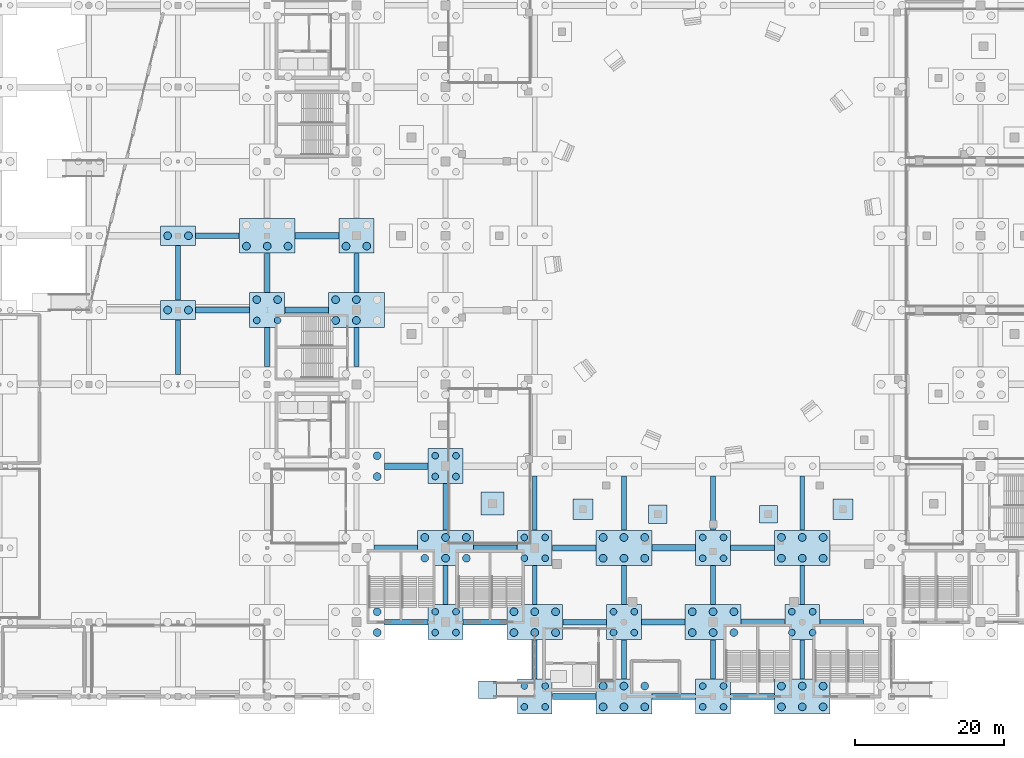
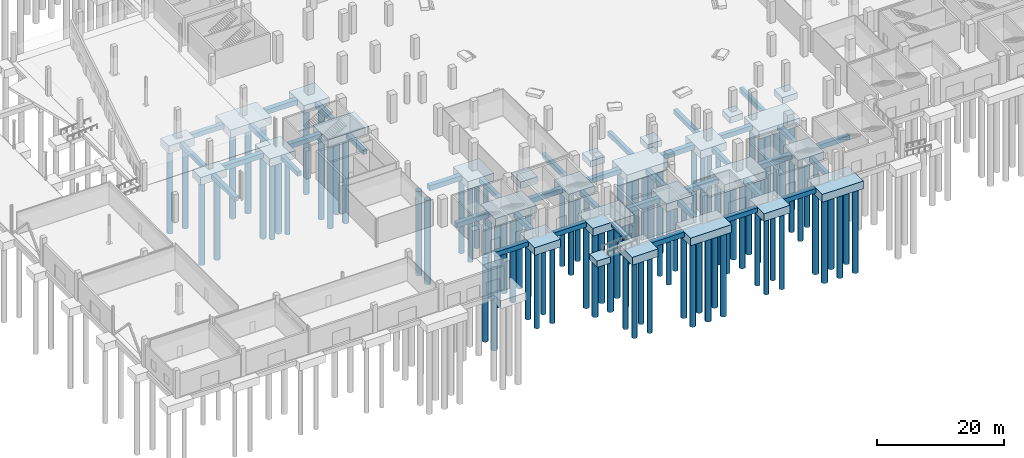
# One storey, part 2 of 70: 95 piles, 66 footings.
"""IFC4 building model written with IfcOpenShell, lengths in metres."""

from ifc_helpers import new_model, si_unit, direction, frame, origin, origin_2d, place, context, subcontext, project, spatial, rectangle, circle, extrude, material, layer, layer_set, material_profile, profile_set, type_object, element, save


model = new_model("IFC4")

# Units and contexts
model_context = context("Model", 3, precision=1e-05, world=origin(), true_north=direction((0.0, 1.0)))
body_context = subcontext(model_context, "Body", "Model", "MODEL_VIEW")
ifc_project = project(units=[si_unit("LENGTHUNIT", "METRE"), si_unit("AREAUNIT", "SQUARE_METRE"), si_unit("VOLUMEUNIT", "CUBIC_METRE"), si_unit("PLANEANGLEUNIT", "RADIAN"), si_unit("MASSUNIT", "GRAM", prefix="KILO")], contexts=[model_context])

# Site, building, storey
site_placement = place(None, origin())
site = spatial("IfcSite", under=ifc_project, at=site_placement, CompositionType="ELEMENT")
building_placement = place(site_placement, origin())
building = spatial("IfcBuilding", under=site, at=building_placement, Name="Brinegate Civic Arena", CompositionType="ELEMENT")
storey_placement = place(building_placement, origin())
storey = spatial("IfcBuildingStorey", under=building, at=storey_placement, Name="L00", CompositionType="ELEMENT", Elevation=0.0)

# Footings
ifc_material = material(Name="Concrete C40/50", Category="concrete")
ifc_layer_1 = layer(ifc_material, 1.5, Name="Concrete C40/50")
ifc_layer_set_1 = layer_set([ifc_layer_1], Name="Concrete C40/50")
footing_type_1 = type_object("IfcFootingType", Name="CAP-2PILE-3800", PredefinedType="PILE_CAP", material=ifc_layer_set_1)
for number, where, z_axis, x_axis, name in (
    (1, (36.0, 52.0, -1.800048828125), (0.0, 0.0, 1.0), (1.0, 0.0, 0.0), "Pile Cap CAP-040 (4-F)"),
    (2, (36.0, 62.0, -1.800048828125), (0.0, 0.0, 1.0), (1.0, 0.0, 0.0), "Pile Cap CAP-041 (4-G)"),
):
    element("IfcFooting", number, at=place(storey_placement, frame(where, z_axis=z_axis, x_axis=x_axis)), inside=storey, type_object=footing_type_1, Name=name, PredefinedType="PILE_CAP", context=body_context, shape_type="SweptSolid", body=[
        extrude(rectangle(XDim=4.699951171875, YDim=2.60009765625, at=origin_2d()), origin(), (0.0, 0.0, 1.0), 1.5),
    ])
ifc_layer_2 = layer(ifc_material, 1.5, Name="Concrete C40/50")
ifc_layer_set_2 = layer_set([ifc_layer_2], Name="Concrete C40/50")
footing_type_2 = type_object("IfcFootingType", Name="CAP-4PILE-3800", PredefinedType="PILE_CAP", material=ifc_layer_set_2)
for number, where, z_axis, x_axis, name in (
    (3, (48.0, 52.0, -1.800048828125), (0.0, 0.0, 1.0), (1.0, 0.0, 0.0), "Pile Cap CAP-052 (5-F)"),
    (4, (60.0, 62.0, -1.800048828125), (0.0, 0.0, 1.0), (1.0, 0.0, 0.0), "Pile Cap CAP-066 (6-G)"),
    (5, (72.0, 10.0, -1.800048828125), (0.0, 0.0, 1.0), (1.0, 0.0, 0.0), "Pile Cap CAP-073 (7-B)"),
    (6, (72.0, 31.0, -1.800048828125), (0.0, 0.0, 1.0), (1.0, 0.0, 0.0), "Pile Cap CAP-075 (7-D)"),
    (7, (84.0, 0.0, -1.800048828125), (0.0, 0.0, 1.0), (1.0, 0.0, 0.0), "Pile Cap CAP-084 (8-A)"),
    (8, (84.0, 20.0, -1.800048828125), (0.0, 0.0, 1.0), (1.0, 0.0, 0.0), "Pile Cap CAP-086 (8-C)"),
    (9, (96.0, 10.0, -1.800048828125), (0.0, 0.0, 1.0), (1.0, 0.0, 0.0), "Pile Cap CAP-098 (9-B)"),
    (10, (108.0, 0.0, -1.800048828125), (0.0, 0.0, 1.0), (1.0, 0.0, 0.0), "Pile Cap CAP-105 (10-A)"),
    (11, (108.0, 20.0, -1.800048828125), (0.0, 0.0, 1.0), (1.0, 0.0, 0.0), "Pile Cap CAP-107 (10-C)"),
    (12, (120.0, 10.0, -1.800048828125), (0.0, 0.0, 1.0), (1.0, 0.0, 0.0), "Pile Cap CAP-114 (11-B)"),
):
    element("IfcFooting", number, at=place(storey_placement, frame(where, z_axis=z_axis, x_axis=x_axis)), inside=storey, type_object=footing_type_2, Name=name, PredefinedType="PILE_CAP", context=body_context, shape_type="SweptSolid", body=[
        extrude(rectangle(XDim=4.699951171875, YDim=4.699951171875, at=origin_2d()), origin(), (0.0, 0.0, 1.0), 1.5),
    ])
ifc_layer_3 = layer(ifc_material, 1.5, Name="Concrete C40/50")
ifc_layer_set_3 = layer_set([ifc_layer_3], Name="Concrete C40/50")
footing_type_3 = type_object("IfcFootingType", Name="CAP-6PILE-5400", PredefinedType="PILE_CAP", material=ifc_layer_set_3)
for number, where, z_axis, x_axis, name in (
    (13, (48.0, 62.0, -1.800048828125), (0.0, 0.0, 1.0), (1.0, 0.0, 0.0), "Pile Cap CAP-053 (5-G)"),
    (14, (60.0, 52.0, -1.800048828125), (0.0, 0.0, 1.0), (1.0, 0.0, 0.0), "Pile Cap CAP-065 (6-F)"),
    (15, (72.0, 20.0, -1.800048828125), (0.0, 0.0, 1.0), (1.0, 0.0, 0.0), "Pile Cap CAP-074 (7-C)"),
    (16, (84.0, 10.0, -1.800048828125), (0.0, 0.0, 1.0), (1.0, 0.0, 0.0), "Pile Cap CAP-085 (8-B)"),
    (17, (96.0, 0.0, -1.800048828125), (0.0, 0.0, 1.0), (1.0, 0.0, 0.0), "Pile Cap CAP-097 (9-A)"),
    (18, (96.0, 20.0, -1.800048828125), (0.0, 0.0, 1.0), (1.0, 0.0, 0.0), "Pile Cap CAP-099 (9-C)"),
    (19, (108.0, 10.0, -1.800048828125), (0.0, 0.0, 1.0), (1.0, 0.0, 0.0), "Pile Cap CAP-106 (10-B)"),
    (20, (120.0, 0.0, -1.800048828125), (0.0, 0.0, 1.0), (1.0, 0.0, 0.0), "Pile Cap CAP-113 (11-A)"),
    (21, (120.0, 20.0, -1.800048828125), (0.0, 0.0, 1.0), (1.0, 0.0, 0.0), "Pile Cap CAP-115 (11-C)"),
):
    element("IfcFooting", number, at=place(storey_placement, frame(where, z_axis=z_axis, x_axis=x_axis)), inside=storey, type_object=footing_type_3, Name=name, PredefinedType="PILE_CAP", context=body_context, shape_type="SweptSolid", body=[
        extrude(rectangle(XDim=7.5, YDim=4.699951171875, at=origin_2d()), origin(), (0.0, 0.0, 1.0), 1.5),
    ])
ifc_layer_4 = layer(ifc_material, 1.199951171875, Name="Concrete C40/50")
ifc_layer_set_4 = layer_set([ifc_layer_4], Name="Concrete C40/50")
footing_type_4 = type_object("IfcFootingType", Name="PAD-FOOT-2400", PredefinedType="PAD_FOOTING", material=ifc_layer_set_4)
for number, where, z_axis, x_axis, name in (
    (22, (115.44091796875, 24.510009765625, -1.5), (0.0, 0.0, 1.0), (1.0, 0.0, 0.0), "Pad Footing PAD-009"),
    (23, (77.64990234375, 0.89990234375, -1.64892578125), (0.0, 0.0, 1.0), (1.0, 0.0, 0.0), "Ramp Toe Pad Footing PAD-035"),
):
    element("IfcFooting", number, at=place(storey_placement, frame(where, z_axis=z_axis, x_axis=x_axis)), inside=storey, type_object=footing_type_4, Name=name, PredefinedType="PAD_FOOTING", context=body_context, shape_type="SweptSolid", body=[
        extrude(rectangle(XDim=2.39990234375, YDim=2.39990234375, at=origin_2d()), origin(), (0.0, 0.0, 1.0), 1.199951171875),
    ])
ifc_layer_5 = layer(ifc_material, 1.14990234375, Name="Concrete C40/50")
ifc_layer_set_5 = layer_set([ifc_layer_5], Name="Concrete C40/50")
footing_type_5 = type_object("IfcFootingType", Name="PAD-FOOT-2500", PredefinedType="PAD_FOOTING", material=ifc_layer_set_5)
footing_1_placement = place(storey_placement, frame((100.55908203125, 24.510009765625, -1.449951171875), z_axis=(0.0, 0.0, 1.0), x_axis=(1.0, 0.0, 0.0)))
element("IfcFooting", 24, at=footing_1_placement, inside=storey, type_object=footing_type_5, Name="Pad Footing PAD-008", PredefinedType="PAD_FOOTING", context=body_context, shape_type="SweptSolid", body=[
    extrude(rectangle(XDim=2.5, YDim=2.5, at=origin_2d()), origin(), (0.0, 0.0, 1.0), 1.14990234375),
])
ifc_layer_6 = layer(ifc_material, 1.199951171875, Name="Concrete C40/50")
ifc_layer_set_6 = layer_set([ifc_layer_6], Name="Concrete C40/50")
footing_type_6 = type_object("IfcFootingType", Name="PAD-FOOT-2700", PredefinedType="PAD_FOOTING", material=ifc_layer_set_6)
for number, where, z_axis, x_axis, name in (
    (25, (90.5, 25.194091796875, -1.5), (0.0, 0.0, 1.0), (1.0, 0.0, 0.0), "Pad Footing PAD-016"),
    (26, (125.5, 25.194091796875, -1.5), (0.0, 0.0, 1.0), (1.0, 0.0, 0.0), "Pad Footing PAD-017"),
):
    element("IfcFooting", number, at=place(storey_placement, frame(where, z_axis=z_axis, x_axis=x_axis)), inside=storey, type_object=footing_type_6, Name=name, PredefinedType="PAD_FOOTING", context=body_context, shape_type="SweptSolid", body=[
        extrude(rectangle(XDim=2.699951171875, YDim=2.699951171875, at=origin_2d()), origin(), (0.0, 0.0, 1.0), 1.199951171875),
    ])
ifc_layer_7 = layer(ifc_material, 1.300048828125, Name="Concrete C40/50")
ifc_layer_set_7 = layer_set([ifc_layer_7], Name="Concrete C40/50")
footing_type_7 = type_object("IfcFootingType", Name="PAD-FOOT-3100", PredefinedType="PAD_FOOTING", material=ifc_layer_set_7)
footing_2_placement = place(storey_placement, frame((78.302001953125, 25.93798828125, -1.60009765625), z_axis=(0.0, 0.0, 1.0), x_axis=(1.0, 0.0, 0.0)))
element("IfcFooting", 27, at=footing_2_placement, inside=storey, type_object=footing_type_7, Name="Pad Footing PAD-029", PredefinedType="PAD_FOOTING", context=body_context, shape_type="SweptSolid", body=[
    extrude(rectangle(XDim=3.10009765625, YDim=3.10009765625, at=origin_2d()), origin(), (0.0, 0.0, 1.0), 1.300048828125),
])

# Piles
ifc_material_profile_1 = material_profile(ifc_material, circle(Radius=0.52490234375, at=origin_2d()), Name="PILED1050")
ifc_profile_set_1 = profile_set([ifc_material_profile_1], Name="Concrete C40/50")
pile_type_1 = type_object("IfcPileType", Name="PILE-BORED-1050", PredefinedType="BORED", material=ifc_profile_set_1)
for number, where, z_axis, x_axis, name in (
    (28, (34.60009765625, 52.0, -1.699951171875), (0.0, 0.0, -1.0), (1.0, 0.0, 0.0), "Bored Socket Pile PIL-0079"),
    (29, (37.39990234375, 52.0, -1.699951171875), (0.0, 0.0, -1.0), (1.0, 0.0, 0.0), "Bored Socket Pile PIL-0080"),
    (30, (34.60009765625, 62.0, -1.699951171875), (0.0, 0.0, -1.0), (1.0, 0.0, 0.0), "Bored Socket Pile PIL-0081"),
    (31, (37.39990234375, 62.0, -1.699951171875), (0.0, 0.0, -1.0), (1.0, 0.0, 0.0), "Bored Socket Pile PIL-0082"),
    (32, (46.60009765625, 53.39990234375, -1.699951171875), (0.0, 0.0, -1.0), (1.0, 0.0, 0.0), "Bored Socket Pile PIL-0121"),
    (33, (49.39990234375, 53.39990234375, -1.699951171875), (0.0, 0.0, -1.0), (1.0, 0.0, 0.0), "Bored Socket Pile PIL-0122"),
    (34, (45.199951171875, 60.60009765625, -1.699951171875), (0.0, 0.0, -1.0), (1.0, 0.0, 0.0), "Bored Socket Pile PIL-0123"),
    (35, (48.0, 60.60009765625, -1.699951171875), (0.0, 0.0, -1.0), (1.0, 0.0, 0.0), "Bored Socket Pile PIL-0124"),
    (36, (50.800048828125, 60.60009765625, -1.699951171875), (0.0, 0.0, -1.0), (1.0, 0.0, 0.0), "Bored Socket Pile PIL-0125"),
    (37, (62.800048828125, 8.60009765625, -1.699951171875), (0.0, 0.0, -1.0), (1.0, 0.0, 0.0), "Bored Socket Pile PIL-0165"),
    (38, (62.800048828125, 11.39990234375, -1.699951171875), (0.0, 0.0, -1.0), (1.0, 0.0, 0.0), "Bored Socket Pile PIL-0168"),
    (39, (62.800048828125, 29.60009765625, -1.699951171875), (0.0, 0.0, -1.0), (1.0, 0.0, 0.0), "Bored Socket Pile PIL-0175"),
    (40, (62.800048828125, 32.39990234375, -1.699951171875), (0.0, 0.0, -1.0), (1.0, 0.0, 0.0), "Bored Socket Pile PIL-0178"),
    (41, (57.199951171875, 50.60009765625, -1.699951171875), (0.0, 0.0, -1.0), (1.0, 0.0, 0.0), "Bored Socket Pile PIL-0183"),
    (42, (60.0, 50.60009765625, -1.699951171875), (0.0, 0.0, -1.0), (1.0, 0.0, 0.0), "Bored Socket Pile PIL-0184"),
    (43, (57.199951171875, 53.39990234375, -1.699951171875), (0.0, 0.0, -1.0), (1.0, 0.0, 0.0), "Bored Socket Pile PIL-0186"),
    (44, (60.0, 53.39990234375, -1.699951171875), (0.0, 0.0, -1.0), (1.0, 0.0, 0.0), "Bored Socket Pile PIL-0187"),
    (45, (58.60009765625, 60.60009765625, -1.699951171875), (0.0, 0.0, -1.0), (1.0, 0.0, 0.0), "Bored Socket Pile PIL-0189"),
    (46, (61.39990234375, 60.60009765625, -1.699951171875), (0.0, 0.0, -1.0), (1.0, 0.0, 0.0), "Bored Socket Pile PIL-0190"),
    (47, (69.199951171875, 18.60009765625, -1.699951171875), (0.0, 0.0, -1.0), (1.0, 0.0, 0.0), "Bored Socket Pile PIL-0227"),
    (48, (72.0, 18.60009765625, -1.699951171875), (0.0, 0.0, -1.0), (1.0, 0.0, 0.0), "Bored Socket Pile PIL-0228"),
    (49, (74.800048828125, 18.60009765625, -1.699951171875), (0.0, 0.0, -1.0), (1.0, 0.0, 0.0), "Bored Socket Pile PIL-0229"),
    (50, (69.199951171875, 21.39990234375, -1.699951171875), (0.0, 0.0, -1.0), (1.0, 0.0, 0.0), "Bored Socket Pile PIL-0230"),
    (51, (72.0, 21.39990234375, -1.699951171875), (0.0, 0.0, -1.0), (1.0, 0.0, 0.0), "Bored Socket Pile PIL-0231"),
    (52, (74.800048828125, 21.39990234375, -1.699951171875), (0.0, 0.0, -1.0), (1.0, 0.0, 0.0), "Bored Socket Pile PIL-0232"),
    (53, (81.199951171875, 8.60009765625, -1.699951171875), (0.0, 0.0, -1.0), (1.0, 0.0, 0.0), "Bored Socket Pile PIL-0281"),
    (54, (84.0, 8.60009765625, -1.699951171875), (0.0, 0.0, -1.0), (1.0, 0.0, 0.0), "Bored Socket Pile PIL-0282"),
    (55, (86.800048828125, 8.60009765625, -1.699951171875), (0.0, 0.0, -1.0), (1.0, 0.0, 0.0), "Bored Socket Pile PIL-0283"),
    (56, (81.199951171875, 11.39990234375, -1.699951171875), (0.0, 0.0, -1.0), (1.0, 0.0, 0.0), "Bored Socket Pile PIL-0284"),
    (57, (84.0, 11.39990234375, -1.699951171875), (0.0, 0.0, -1.0), (1.0, 0.0, 0.0), "Bored Socket Pile PIL-0285"),
    (58, (86.800048828125, 11.39990234375, -1.699951171875), (0.0, 0.0, -1.0), (1.0, 0.0, 0.0), "Bored Socket Pile PIL-0286"),
    (59, (93.199951171875, -1.39990234375, -1.699951171875), (0.0, 0.0, -1.0), (1.0, 0.0, 0.0), "Bored Socket Pile PIL-0319"),
    (60, (96.0, -1.39990234375, -1.699951171875), (0.0, 0.0, -1.0), (1.0, 0.0, 0.0), "Bored Socket Pile PIL-0320"),
    (61, (98.800048828125, -1.39990234375, -1.699951171875), (0.0, 0.0, -1.0), (1.0, 0.0, 0.0), "Bored Socket Pile PIL-0321"),
    (62, (93.199951171875, 1.39990234375, -1.699951171875), (0.0, 0.0, -1.0), (1.0, 0.0, 0.0), "Bored Socket Pile PIL-0322"),
    (63, (96.0, 1.39990234375, -1.699951171875), (0.0, 0.0, -1.0), (1.0, 0.0, 0.0), "Bored Socket Pile PIL-0323"),
    (64, (98.800048828125, 1.39990234375, -1.699951171875), (0.0, 0.0, -1.0), (1.0, 0.0, 0.0), "Bored Socket Pile PIL-0324"),
    (65, (93.199951171875, 18.60009765625, -1.699951171875), (0.0, 0.0, -1.0), (1.0, 0.0, 0.0), "Bored Socket Pile PIL-0329"),
    (66, (96.0, 18.60009765625, -1.699951171875), (0.0, 0.0, -1.0), (1.0, 0.0, 0.0), "Bored Socket Pile PIL-0330"),
    (67, (98.800048828125, 18.60009765625, -1.699951171875), (0.0, 0.0, -1.0), (1.0, 0.0, 0.0), "Bored Socket Pile PIL-0331"),
    (68, (93.199951171875, 21.39990234375, -1.699951171875), (0.0, 0.0, -1.0), (1.0, 0.0, 0.0), "Bored Socket Pile PIL-0332"),
    (69, (96.0, 21.39990234375, -1.699951171875), (0.0, 0.0, -1.0), (1.0, 0.0, 0.0), "Bored Socket Pile PIL-0333"),
    (70, (98.800048828125, 21.39990234375, -1.699951171875), (0.0, 0.0, -1.0), (1.0, 0.0, 0.0), "Bored Socket Pile PIL-0334"),
    (71, (105.199951171875, 8.60009765625, -1.699951171875), (0.0, 0.0, -1.0), (1.0, 0.0, 0.0), "Bored Socket Pile PIL-0359"),
    (72, (108.0, 8.60009765625, -1.699951171875), (0.0, 0.0, -1.0), (1.0, 0.0, 0.0), "Bored Socket Pile PIL-0360"),
    (73, (110.800048828125, 8.60009765625, -1.699951171875), (0.0, 0.0, -1.0), (1.0, 0.0, 0.0), "Bored Socket Pile PIL-0361"),
    (74, (105.199951171875, 11.39990234375, -1.699951171875), (0.0, 0.0, -1.0), (1.0, 0.0, 0.0), "Bored Socket Pile PIL-0362"),
    (75, (108.0, 11.39990234375, -1.699951171875), (0.0, 0.0, -1.0), (1.0, 0.0, 0.0), "Bored Socket Pile PIL-0363"),
    (76, (110.800048828125, 11.39990234375, -1.699951171875), (0.0, 0.0, -1.0), (1.0, 0.0, 0.0), "Bored Socket Pile PIL-0364"),
    (77, (117.199951171875, -1.39990234375, -1.699951171875), (0.0, 0.0, -1.0), (1.0, 0.0, 0.0), "Bored Socket Pile PIL-0387"),
    (78, (120.0, -1.39990234375, -1.699951171875), (0.0, 0.0, -1.0), (1.0, 0.0, 0.0), "Bored Socket Pile PIL-0388"),
    (79, (122.800048828125, -1.39990234375, -1.699951171875), (0.0, 0.0, -1.0), (1.0, 0.0, 0.0), "Bored Socket Pile PIL-0389"),
    (80, (117.199951171875, 1.39990234375, -1.699951171875), (0.0, 0.0, -1.0), (1.0, 0.0, 0.0), "Bored Socket Pile PIL-0390"),
    (81, (120.0, 1.39990234375, -1.699951171875), (0.0, 0.0, -1.0), (1.0, 0.0, 0.0), "Bored Socket Pile PIL-0391"),
    (82, (122.800048828125, 1.39990234375, -1.699951171875), (0.0, 0.0, -1.0), (1.0, 0.0, 0.0), "Bored Socket Pile PIL-0392"),
    (83, (117.199951171875, 18.60009765625, -1.699951171875), (0.0, 0.0, -1.0), (1.0, 0.0, 0.0), "Bored Socket Pile PIL-0397"),
    (84, (120.0, 18.60009765625, -1.699951171875), (0.0, 0.0, -1.0), (1.0, 0.0, 0.0), "Bored Socket Pile PIL-0398"),
    (85, (122.800048828125, 18.60009765625, -1.699951171875), (0.0, 0.0, -1.0), (1.0, 0.0, 0.0), "Bored Socket Pile PIL-0399"),
    (86, (117.199951171875, 21.39990234375, -1.699951171875), (0.0, 0.0, -1.0), (1.0, 0.0, 0.0), "Bored Socket Pile PIL-0400"),
    (87, (120.0, 21.39990234375, -1.699951171875), (0.0, 0.0, -1.0), (1.0, 0.0, 0.0), "Bored Socket Pile PIL-0401"),
    (88, (122.800048828125, 21.39990234375, -1.699951171875), (0.0, 0.0, -1.0), (1.0, 0.0, 0.0), "Bored Socket Pile PIL-0402"),
):
    element("IfcPile", number, at=place(storey_placement, frame(where, z_axis=z_axis, x_axis=x_axis)), inside=storey, type_object=pile_type_1, Name=name, PredefinedType="BORED", context=body_context, shape_type="SweptSolid", body=[
        extrude(circle(Radius=0.52490234375, at=origin_2d()), origin(), (0.0, 0.0, 1.0), 16.300048828125),
    ])
ifc_material_profile_2 = material_profile(ifc_material, circle(Radius=0.449951171875, at=origin_2d()), Name="PILED900")
ifc_profile_set_2 = profile_set([ifc_material_profile_2], Name="Concrete C40/50")
pile_type_2 = type_object("IfcPileType", Name="PILE-BORED-900", PredefinedType="BORED", material=ifc_profile_set_2)
for number, where, z_axis, x_axis, name in (
    (89, (46.60009765625, 50.60009765625, -1.699951171875), (0.0, 0.0, -1.0), (1.0, 0.0, 0.0), "Bored Socket Pile PIL-0119"),
    (90, (49.39990234375, 50.60009765625, -1.699951171875), (0.0, 0.0, -1.0), (1.0, 0.0, 0.0), "Bored Socket Pile PIL-0120"),
    (91, (70.60009765625, 8.60009765625, -1.699951171875), (0.0, 0.0, -1.0), (1.0, 0.0, 0.0), "Bored Socket Pile PIL-0223"),
    (92, (73.39990234375, 8.60009765625, -1.699951171875), (0.0, 0.0, -1.0), (1.0, 0.0, 0.0), "Bored Socket Pile PIL-0224"),
    (93, (70.60009765625, 11.39990234375, -1.699951171875), (0.0, 0.0, -1.0), (1.0, 0.0, 0.0), "Bored Socket Pile PIL-0225"),
    (94, (73.39990234375, 11.39990234375, -1.699951171875), (0.0, 0.0, -1.0), (1.0, 0.0, 0.0), "Bored Socket Pile PIL-0226"),
    (95, (70.60009765625, 29.60009765625, -1.699951171875), (0.0, 0.0, -1.0), (1.0, 0.0, 0.0), "Bored Socket Pile PIL-0233"),
    (96, (73.39990234375, 29.60009765625, -1.699951171875), (0.0, 0.0, -1.0), (1.0, 0.0, 0.0), "Bored Socket Pile PIL-0234"),
    (97, (70.60009765625, 32.39990234375, -1.699951171875), (0.0, 0.0, -1.0), (1.0, 0.0, 0.0), "Bored Socket Pile PIL-0235"),
    (98, (73.39990234375, 32.39990234375, -1.699951171875), (0.0, 0.0, -1.0), (1.0, 0.0, 0.0), "Bored Socket Pile PIL-0236"),
    (99, (82.60009765625, -1.39990234375, -1.699951171875), (0.0, 0.0, -1.0), (1.0, 0.0, 0.0), "Bored Socket Pile PIL-0277"),
    (100, (85.39990234375, -1.39990234375, -1.699951171875), (0.0, 0.0, -1.0), (1.0, 0.0, 0.0), "Bored Socket Pile PIL-0278"),
    (101, (82.60009765625, 1.39990234375, -1.699951171875), (0.0, 0.0, -1.0), (1.0, 0.0, 0.0), "Bored Socket Pile PIL-0279"),
    (102, (85.39990234375, 1.39990234375, -1.699951171875), (0.0, 0.0, -1.0), (1.0, 0.0, 0.0), "Bored Socket Pile PIL-0280"),
    (103, (82.60009765625, 18.60009765625, -1.699951171875), (0.0, 0.0, -1.0), (1.0, 0.0, 0.0), "Bored Socket Pile PIL-0287"),
    (104, (85.39990234375, 18.60009765625, -1.699951171875), (0.0, 0.0, -1.0), (1.0, 0.0, 0.0), "Bored Socket Pile PIL-0288"),
    (105, (82.60009765625, 21.39990234375, -1.699951171875), (0.0, 0.0, -1.0), (1.0, 0.0, 0.0), "Bored Socket Pile PIL-0289"),
    (106, (85.39990234375, 21.39990234375, -1.699951171875), (0.0, 0.0, -1.0), (1.0, 0.0, 0.0), "Bored Socket Pile PIL-0290"),
    (107, (94.60009765625, 8.60009765625, -1.699951171875), (0.0, 0.0, -1.0), (1.0, 0.0, 0.0), "Bored Socket Pile PIL-0325"),
    (108, (97.39990234375, 8.60009765625, -1.699951171875), (0.0, 0.0, -1.0), (1.0, 0.0, 0.0), "Bored Socket Pile PIL-0326"),
    (109, (94.60009765625, 11.39990234375, -1.699951171875), (0.0, 0.0, -1.0), (1.0, 0.0, 0.0), "Bored Socket Pile PIL-0327"),
    (110, (97.39990234375, 11.39990234375, -1.699951171875), (0.0, 0.0, -1.0), (1.0, 0.0, 0.0), "Bored Socket Pile PIL-0328"),
    (111, (106.60009765625, -1.39990234375, -1.699951171875), (0.0, 0.0, -1.0), (1.0, 0.0, 0.0), "Bored Socket Pile PIL-0355"),
    (112, (109.39990234375, -1.39990234375, -1.699951171875), (0.0, 0.0, -1.0), (1.0, 0.0, 0.0), "Bored Socket Pile PIL-0356"),
    (113, (106.60009765625, 1.39990234375, -1.699951171875), (0.0, 0.0, -1.0), (1.0, 0.0, 0.0), "Bored Socket Pile PIL-0357"),
    (114, (109.39990234375, 1.39990234375, -1.699951171875), (0.0, 0.0, -1.0), (1.0, 0.0, 0.0), "Bored Socket Pile PIL-0358"),
    (115, (106.60009765625, 18.60009765625, -1.699951171875), (0.0, 0.0, -1.0), (1.0, 0.0, 0.0), "Bored Socket Pile PIL-0365"),
    (116, (109.39990234375, 18.60009765625, -1.699951171875), (0.0, 0.0, -1.0), (1.0, 0.0, 0.0), "Bored Socket Pile PIL-0366"),
    (117, (106.60009765625, 21.39990234375, -1.699951171875), (0.0, 0.0, -1.0), (1.0, 0.0, 0.0), "Bored Socket Pile PIL-0367"),
    (118, (109.39990234375, 21.39990234375, -1.699951171875), (0.0, 0.0, -1.0), (1.0, 0.0, 0.0), "Bored Socket Pile PIL-0368"),
    (119, (118.60009765625, 8.60009765625, -1.699951171875), (0.0, 0.0, -1.0), (1.0, 0.0, 0.0), "Bored Socket Pile PIL-0393"),
    (120, (121.39990234375, 8.60009765625, -1.699951171875), (0.0, 0.0, -1.0), (1.0, 0.0, 0.0), "Bored Socket Pile PIL-0394"),
    (121, (118.60009765625, 11.39990234375, -1.699951171875), (0.0, 0.0, -1.0), (1.0, 0.0, 0.0), "Bored Socket Pile PIL-0395"),
    (122, (121.39990234375, 11.39990234375, -1.699951171875), (0.0, 0.0, -1.0), (1.0, 0.0, 0.0), "Bored Socket Pile PIL-0396"),
):
    element("IfcPile", number, at=place(storey_placement, frame(where, z_axis=z_axis, x_axis=x_axis)), inside=storey, type_object=pile_type_2, Name=name, PredefinedType="BORED", context=body_context, shape_type="SweptSolid", body=[
        extrude(circle(Radius=0.449951171875, at=origin_2d()), origin(), (0.0, 0.0, 1.0), 14.800048828125),
    ])

# Footings
ifc_layer_8 = layer(ifc_material, 0.89990234375, Name="Concrete C40/50")
ifc_layer_set_8 = layer_set([ifc_layer_8], Name="Concrete C40/50")
footing_type_8 = type_object("IfcFootingType", Name="TIE-BEAM-650X900", PredefinedType="FOOTING_BEAM", material=ifc_layer_set_8)
footing_3_placement = place(storey_placement, frame((72.0, 15.0, -1.199951171875), z_axis=(0.0, 0.0, 1.0), x_axis=(0.0, 1.0, 0.0)))
element("IfcFooting", 123, at=footing_3_placement, inside=storey, type_object=footing_type_8, Name="Ground Tie Beam GTB-128", PredefinedType="FOOTING_BEAM", context=body_context, shape_type="SweptSolid", body=[
    extrude(rectangle(XDim=5.260009765625, YDim=0.64990234375, at=origin_2d()), origin(), (0.0, 0.0, 1.0), 0.89990234375),
])
footing_4_placement = place(storey_placement, frame((72.0, 25.5, -1.199951171875), z_axis=(0.0, 0.0, 1.0), x_axis=(0.0, 1.0, 0.0)))
element("IfcFooting", 124, at=footing_4_placement, inside=storey, type_object=footing_type_8, Name="Ground Tie Beam GTB-130", PredefinedType="FOOTING_BEAM", context=body_context, shape_type="SweptSolid", body=[
    extrude(rectangle(XDim=6.260009765625, YDim=0.64990234375, at=origin_2d()), origin(), (0.0, 0.0, 1.0), 0.89990234375),
])
for number, where, z_axis, x_axis, name in (
    (125, (84.0, 5.0, -1.199951171875), (0.0, 0.0, 1.0), (0.0, 1.0, 0.0), "Ground Tie Beam GTB-144"),
    (126, (84.0, 15.0, -1.199951171875), (0.0, 0.0, 1.0), (0.0, 1.0, 0.0), "Ground Tie Beam GTB-146"),
):
    element("IfcFooting", number, at=place(storey_placement, frame(where, z_axis=z_axis, x_axis=x_axis)), inside=storey, type_object=footing_type_8, Name=name, PredefinedType="FOOTING_BEAM", context=body_context, shape_type="SweptSolid", body=[
        extrude(rectangle(XDim=5.260009765625, YDim=0.64990234375, at=origin_2d()), origin(), (0.0, 0.0, 1.0), 0.89990234375),
    ])
footing_5_placement = place(storey_placement, frame((84.0, 26.02490234375, -1.199951171875), z_axis=(0.0, 0.0, 1.0), x_axis=(0.0, 1.0, 0.0)))
element("IfcFooting", 127, at=footing_5_placement, inside=storey, type_object=footing_type_8, Name="Ground Tie Beam GTB-148", PredefinedType="FOOTING_BEAM", context=body_context, shape_type="SweptSolid", body=[
    extrude(rectangle(XDim=7.31005859375, YDim=0.64990234375, at=origin_2d()), origin(), (0.0, 0.0, 1.0), 0.89990234375),
])
for number, where, z_axis, x_axis, name in (
    (128, (96.0, 5.0, -1.199951171875), (0.0, 0.0, 1.0), (0.0, 1.0, 0.0), "Ground Tie Beam GTB-164"),
    (129, (96.0, 15.0, -1.199951171875), (0.0, 0.0, 1.0), (0.0, 1.0, 0.0), "Ground Tie Beam GTB-166"),
):
    element("IfcFooting", number, at=place(storey_placement, frame(where, z_axis=z_axis, x_axis=x_axis)), inside=storey, type_object=footing_type_8, Name=name, PredefinedType="FOOTING_BEAM", context=body_context, shape_type="SweptSolid", body=[
        extrude(rectangle(XDim=5.260009765625, YDim=0.64990234375, at=origin_2d()), origin(), (0.0, 0.0, 1.0), 0.89990234375),
    ])
footing_6_placement = place(storey_placement, frame((96.0, 26.02490234375, -1.199951171875), z_axis=(0.0, 0.0, 1.0), x_axis=(0.0, 1.0, 0.0)))
element("IfcFooting", 130, at=footing_6_placement, inside=storey, type_object=footing_type_8, Name="Ground Tie Beam GTB-168", PredefinedType="FOOTING_BEAM", context=body_context, shape_type="SweptSolid", body=[
    extrude(rectangle(XDim=7.31005859375, YDim=0.64990234375, at=origin_2d()), origin(), (0.0, 0.0, 1.0), 0.89990234375),
])
for number, where, z_axis, x_axis, name in (
    (131, (108.0, 5.0, -1.199951171875), (0.0, 0.0, 1.0), (0.0, 1.0, 0.0), "Ground Tie Beam GTB-178"),
    (132, (108.0, 15.0, -1.199951171875), (0.0, 0.0, 1.0), (0.0, 1.0, 0.0), "Ground Tie Beam GTB-180"),
):
    element("IfcFooting", number, at=place(storey_placement, frame(where, z_axis=z_axis, x_axis=x_axis)), inside=storey, type_object=footing_type_8, Name=name, PredefinedType="FOOTING_BEAM", context=body_context, shape_type="SweptSolid", body=[
        extrude(rectangle(XDim=5.260009765625, YDim=0.64990234375, at=origin_2d()), origin(), (0.0, 0.0, 1.0), 0.89990234375),
    ])
footing_7_placement = place(storey_placement, frame((108.0, 26.02490234375, -1.199951171875), z_axis=(0.0, 0.0, 1.0), x_axis=(0.0, 1.0, 0.0)))
element("IfcFooting", 133, at=footing_7_placement, inside=storey, type_object=footing_type_8, Name="Ground Tie Beam GTB-182", PredefinedType="FOOTING_BEAM", context=body_context, shape_type="SweptSolid", body=[
    extrude(rectangle(XDim=7.31005859375, YDim=0.64990234375, at=origin_2d()), origin(), (0.0, 0.0, 1.0), 0.89990234375),
])
for number, where, z_axis, x_axis, name in (
    (134, (120.0, 5.0, -1.199951171875), (0.0, 0.0, 1.0), (0.0, 1.0, 0.0), "Ground Tie Beam GTB-192"),
    (135, (120.0, 15.0, -1.199951171875), (0.0, 0.0, 1.0), (0.0, 1.0, 0.0), "Ground Tie Beam GTB-194"),
):
    element("IfcFooting", number, at=place(storey_placement, frame(where, z_axis=z_axis, x_axis=x_axis)), inside=storey, type_object=footing_type_8, Name=name, PredefinedType="FOOTING_BEAM", context=body_context, shape_type="SweptSolid", body=[
        extrude(rectangle(XDim=5.260009765625, YDim=0.64990234375, at=origin_2d()), origin(), (0.0, 0.0, 1.0), 0.89990234375),
    ])
footing_8_placement = place(storey_placement, frame((120.0, 26.02490234375, -1.199951171875), z_axis=(0.0, 0.0, 1.0), x_axis=(0.0, 1.0, 0.0)))
element("IfcFooting", 136, at=footing_8_placement, inside=storey, type_object=footing_type_8, Name="Ground Tie Beam GTB-196", PredefinedType="FOOTING_BEAM", context=body_context, shape_type="SweptSolid", body=[
    extrude(rectangle(XDim=7.31005859375, YDim=0.64990234375, at=origin_2d()), origin(), (0.0, 0.0, 1.0), 0.89990234375),
])
ifc_layer_9 = layer(ifc_material, 0.85009765625, Name="Concrete C40/50")
ifc_layer_set_9 = layer_set([ifc_layer_9], Name="Concrete C40/50")
footing_type_9 = type_object("IfcFootingType", Name="TIE-BEAM-700X850", PredefinedType="FOOTING_BEAM", material=ifc_layer_set_9)
for number, where, z_axis, x_axis, name in (
    (137, (36.0, 47.0, -1.175048828125), (0.0, 0.0, 1.0), (0.0, 1.0, 0.0), "Ground Tie Beam GTB-067"),
    (138, (36.0, 57.0, -1.175048828125), (0.0, 0.0, 1.0), (0.0, 1.0, 0.0), "Ground Tie Beam GTB-069"),
):
    element("IfcFooting", number, at=place(storey_placement, frame(where, z_axis=z_axis, x_axis=x_axis)), inside=storey, type_object=footing_type_9, Name=name, PredefinedType="FOOTING_BEAM", context=body_context, shape_type="SweptSolid", body=[
        extrude(rectangle(XDim=7.360107421875, YDim=0.699951171875, at=origin_2d()), origin(), (0.0, 0.0, 1.0), 0.85009765625),
    ])
for number, where, z_axis, x_axis, name in (
    (139, (48.0, 47.0, -1.175048828125), (0.0, 0.0, 1.0), (0.0, 1.0, 0.0), "Ground Tie Beam GTB-089"),
    (140, (48.0, 57.0, -1.175048828125), (0.0, 0.0, 1.0), (0.0, 1.0, 0.0), "Ground Tie Beam GTB-091"),
    (141, (60.0, 47.0, -1.175048828125), (0.0, 0.0, 1.0), (0.0, 1.0, 0.0), "Ground Tie Beam GTB-113"),
    (142, (60.0, 57.0, -1.175048828125), (0.0, 0.0, 1.0), (0.0, 1.0, 0.0), "Ground Tie Beam GTB-115"),
):
    element("IfcFooting", number, at=place(storey_placement, frame(where, z_axis=z_axis, x_axis=x_axis)), inside=storey, type_object=footing_type_9, Name=name, PredefinedType="FOOTING_BEAM", context=body_context, shape_type="SweptSolid", body=[
        extrude(rectangle(XDim=5.260009765625, YDim=0.699951171875, at=origin_2d()), origin(), (0.0, 0.0, 1.0), 0.85009765625),
    ])
ifc_layer_10 = layer(ifc_material, 0.89990234375, Name="Concrete C40/50")
ifc_layer_set_10 = layer_set([ifc_layer_10], Name="Concrete C40/50")
footing_type_10 = type_object("IfcFootingType", Name="TIE-BEAM-750X900", PredefinedType="FOOTING_BEAM", material=ifc_layer_set_10)
for number, where, z_axis, x_axis, name in (
    (143, (41.300048828125, 62.0, -1.199951171875), (0.0, 0.0, 1.0), (1.0, 0.0, 0.0), "Ground Tie Beam GTB-070"),
    (144, (66.699951171875, 10.0, -1.199951171875), (0.0, 0.0, 1.0), (1.0, 0.0, 0.0), "Ground Tie Beam GTB-106"),
    (145, (77.300048828125, 10.0, -1.199951171875), (0.0, 0.0, 1.0), (1.0, 0.0, 0.0), "Ground Tie Beam GTB-127"),
    (146, (90.699951171875, 10.0, -1.199951171875), (0.0, 0.0, 1.0), (1.0, 0.0, 0.0), "Ground Tie Beam GTB-145"),
    (147, (102.699951171875, 0.0, -1.199951171875), (0.0, 0.0, 1.0), (1.0, 0.0, 0.0), "Ground Tie Beam GTB-163"),
    (148, (113.300048828125, 20.0, -1.199951171875), (0.0, 0.0, 1.0), (1.0, 0.0, 0.0), "Ground Tie Beam GTB-181"),
    (149, (125.300048828125, 10.0, -1.199951171875), (0.0, 0.0, 1.0), (1.0, 0.0, 0.0), "Ground Tie Beam GTB-193"),
):
    element("IfcFooting", number, at=place(storey_placement, frame(where, z_axis=z_axis, x_axis=x_axis)), inside=storey, type_object=footing_type_10, Name=name, PredefinedType="FOOTING_BEAM", context=body_context, shape_type="SweptSolid", body=[
        extrude(rectangle(XDim=5.860107421875, YDim=0.75, at=origin_2d()), origin(), (0.0, 0.0, 1.0), 0.89990234375),
    ])
ifc_layer_11 = layer(ifc_material, 0.89990234375, Name="Concrete C40/50")
ifc_layer_set_11 = layer_set([ifc_layer_11], Name="Concrete C40/50")
footing_type_11 = type_object("IfcFootingType", Name="TIE-BEAM-800X900", PredefinedType="FOOTING_BEAM", material=ifc_layer_set_11)
for number, where, z_axis, x_axis, name in (
    (150, (53.300048828125, 52.0, -1.199951171875), (0.0, 0.0, 1.0), (1.0, 0.0, 0.0), "Ground Tie Beam GTB-090"),
    (151, (65.300048828125, 20.0, -1.199951171875), (0.0, 0.0, 1.0), (1.0, 0.0, 0.0), "Ground Tie Beam GTB-108"),
    (152, (78.699951171875, 20.0, -1.199951171875), (0.0, 0.0, 1.0), (1.0, 0.0, 0.0), "Ground Tie Beam GTB-129"),
    (153, (89.300048828125, 20.0, -1.199951171875), (0.0, 0.0, 1.0), (1.0, 0.0, 0.0), "Ground Tie Beam GTB-147"),
    (154, (101.300048828125, 10.0, -1.199951171875), (0.0, 0.0, 1.0), (1.0, 0.0, 0.0), "Ground Tie Beam GTB-165"),
    (155, (113.300048828125, 0.0, -1.199951171875), (0.0, 0.0, 1.0), (1.0, 0.0, 0.0), "Ground Tie Beam GTB-177"),
):
    element("IfcFooting", number, at=place(storey_placement, frame(where, z_axis=z_axis, x_axis=x_axis)), inside=storey, type_object=footing_type_11, Name=name, PredefinedType="FOOTING_BEAM", context=body_context, shape_type="SweptSolid", body=[
        extrude(rectangle(XDim=5.860107421875, YDim=0.800048828125, at=origin_2d()), origin(), (0.0, 0.0, 1.0), 0.89990234375),
    ])
ifc_layer_12 = layer(ifc_material, 0.949951171875, Name="Concrete C40/50")
ifc_layer_set_12 = layer_set([ifc_layer_12], Name="Concrete C40/50")
footing_type_12 = type_object("IfcFootingType", Name="TIE-BEAM-850X950", PredefinedType="FOOTING_BEAM", material=ifc_layer_set_12)
footing_9_placement = place(storey_placement, frame((42.0, 52.0, -1.22509765625), z_axis=(0.0, 0.0, 1.0), x_axis=(1.0, 0.0, 0.0)))
element("IfcFooting", 156, at=footing_9_placement, inside=storey, type_object=footing_type_12, Name="Ground Tie Beam GTB-068", PredefinedType="FOOTING_BEAM", context=body_context, shape_type="SweptSolid", body=[
    extrude(rectangle(XDim=7.260009765625, YDim=0.85009765625, at=origin_2d()), origin(), (0.0, 0.0, 1.0), 0.949951171875),
])
for number, where, z_axis, x_axis, name in (
    (157, (54.699951171875, 62.0, -1.22509765625), (0.0, 0.0, 1.0), (1.0, 0.0, 0.0), "Ground Tie Beam GTB-092"),
    (158, (66.699951171875, 31.0, -1.22509765625), (0.0, 0.0, 1.0), (1.0, 0.0, 0.0), "Ground Tie Beam GTB-110"),
    (159, (89.300048828125, 0.0, -1.22509765625), (0.0, 0.0, 1.0), (1.0, 0.0, 0.0), "Ground Tie Beam GTB-143"),
    (160, (102.699951171875, 20.0, -1.22509765625), (0.0, 0.0, 1.0), (1.0, 0.0, 0.0), "Ground Tie Beam GTB-167"),
    (161, (114.699951171875, 10.0, -1.22509765625), (0.0, 0.0, 1.0), (1.0, 0.0, 0.0), "Ground Tie Beam GTB-179"),
):
    element("IfcFooting", number, at=place(storey_placement, frame(where, z_axis=z_axis, x_axis=x_axis)), inside=storey, type_object=footing_type_12, Name=name, PredefinedType="FOOTING_BEAM", context=body_context, shape_type="SweptSolid", body=[
        extrude(rectangle(XDim=5.860107421875, YDim=0.85009765625, at=origin_2d()), origin(), (0.0, 0.0, 1.0), 0.949951171875),
    ])

save(model, "model.ifc")
